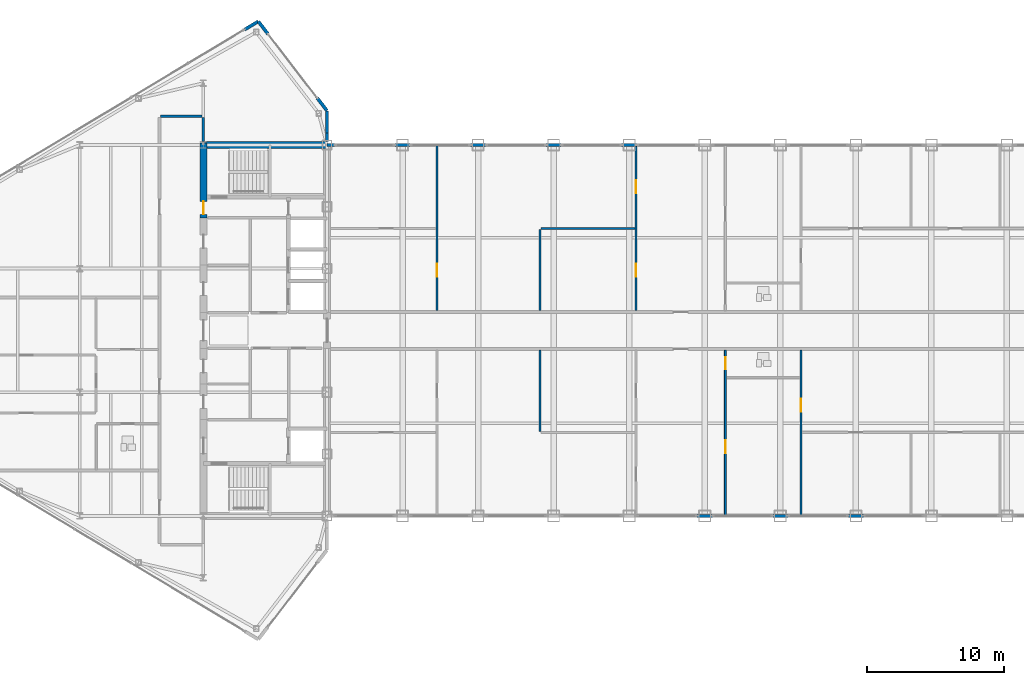
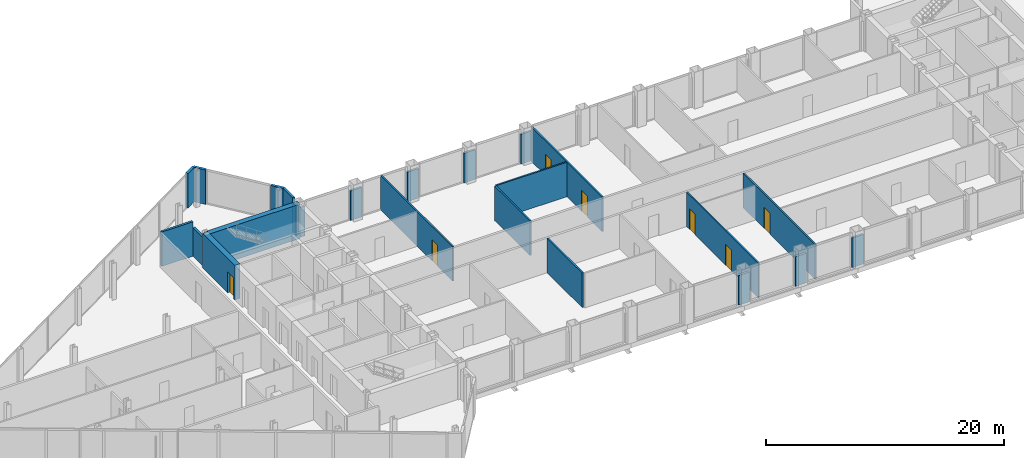
# One storey, part 23 of 29: 24 walls, 7 doors, 7 openings.
"""IFC4 building model written with IfcOpenShell, lengths in metres."""

import ifcopenshell
import ifcopenshell.guid

model = None  # the IFC model being written
_history = None  # IfcOwnerHistory: only IFC2X3 demands one
_inside = {}  # id of a spatial element -> (the spatial element, [elements in it])
_under = {}  # id of a project, library or spatial element -> (it, [spatial elements below it])
_declared = {}  # id of a project -> (the project, [libraries it declares])
_typed = {}  # id of a type object -> (the type object, [elements of that type])
_made_of = {}  # id of a material, layer set ... -> (it, [elements and type objects made of it])


def new_model(schema):
    """Start an empty IFC model of exactly this schema.

    Asked for "IFC4X3", IfcOpenShell would pick the latest addendum, in which some entities
    have other attributes; the version numbers below select the first issue.
    IFC2X3 requires an IfcOwnerHistory on every rooted entity: one is made here for all.
    """
    global model, _history
    if schema == "IFC4X3":
        model = ifcopenshell.file(schema_version=(4, 3, 0, 0))
    else:
        model = ifcopenshell.file(schema=schema)
    _inside.clear()
    _under.clear()
    _declared.clear()
    _typed.clear()
    _made_of.clear()
    _history = None
    if model.schema == "IFC2X3":
        org = make("IfcOrganization", Name="unknown")
        user = make(
            "IfcPersonAndOrganization",
            ThePerson=make("IfcPerson", FamilyName="unknown"),
            TheOrganization=org,
        )
        app = make(
            "IfcApplication",
            ApplicationDeveloper=org,
            Version="unknown",
            ApplicationFullName="unknown",
            ApplicationIdentifier="unknown",
        )
        _history = make(
            "IfcOwnerHistory",
            OwningUser=user,
            OwningApplication=app,
            ChangeAction="ADDED",
            CreationDate=0,
        )
    return model


def make(cls, **values):
    """One entity of the class cls with the attributes given. An attribute that is None is left unset."""
    return model.create_entity(
        cls, **{name: value for name, value in values.items() if value is not None}
    )


def rooted(cls, **values):
    """An entity with a GlobalId (a new one), such as an element, a storey or a relation."""
    return make(cls, GlobalId=ifcopenshell.guid.new(), OwnerHistory=_history, **values)


def si_unit(unit_type, name, prefix=None):
    """IfcSIUnit, for example si_unit("LENGTHUNIT", "METRE", prefix="MILLI")."""
    return make("IfcSIUnit", UnitType=unit_type, Prefix=prefix, Name=name)


def assignment(units):
    """IfcUnitAssignment: the units of a project."""
    return None if units is None else make("IfcUnitAssignment", Units=units)


def point(xyz):
    """IfcCartesianPoint."""
    return None if xyz is None else make("IfcCartesianPoint", Coordinates=xyz)


def direction(xyz):
    """IfcDirection."""
    return None if xyz is None else make("IfcDirection", DirectionRatios=xyz)


def frame(location, z_axis=None, x_axis=None):
    """IfcAxis2Placement3D, a coordinate frame: its origin and axes. An axis left out is left unset."""
    return make(
        "IfcAxis2Placement3D",
        Location=point(location),
        Axis=direction(z_axis),
        RefDirection=direction(x_axis),
    )


def frame_2d(location, x_axis=None):
    """IfcAxis2Placement2D, a coordinate frame in the plane: its origin and x axis."""
    return make(
        "IfcAxis2Placement2D", Location=point(location), RefDirection=direction(x_axis)
    )


def origin():
    """The frame at (0, 0, 0) with its axes left unset."""
    return frame((0.0, 0.0, 0.0))


def place(relative_to, where):
    """IfcLocalPlacement: puts the frame where relative to a parent placement (None: the world)."""
    return make(
        "IfcLocalPlacement", PlacementRelTo=relative_to, RelativePlacement=where
    )


def context(
    kind, dimensions, precision=None, world=None, true_north=None, identifier=None
):
    """IfcGeometricRepresentationContext, for example the 3D "Model" context."""
    return make(
        "IfcGeometricRepresentationContext",
        ContextIdentifier=identifier,
        ContextType=kind,
        CoordinateSpaceDimension=dimensions,
        Precision=precision,
        WorldCoordinateSystem=world,
        TrueNorth=true_north,
    )


def subcontext(parent, identifier, kind, view, scale=None):
    """IfcGeometricRepresentationSubContext, for example "Body" below "Model"."""
    return make(
        "IfcGeometricRepresentationSubContext",
        ContextIdentifier=identifier,
        ContextType=kind,
        ParentContext=parent,
        TargetScale=scale,
        TargetView=view,
    )


def project(units=None, contexts=None):
    """IfcProject with its units and contexts."""
    return rooted(
        "IfcProject",
        Name="project",
        RepresentationContexts=contexts,
        UnitsInContext=assignment(units),
    )


def spatial(cls, under=None, at=None, **own):
    """A site, building, storey or space (cls), placed at a placement, below another one or the project."""
    s = rooted(cls, ObjectPlacement=at, **own)
    if under is not None:
        _under.setdefault(under.id(), (under, []))[1].append(s)
    return s


def profile(cls, at=None, kind="AREA", **sizes):
    """A parametric profile (cls). Its sizes go by their IFC names, for example OverallWidth=200.0."""
    return make(cls, ProfileType=kind, Position=at, **sizes)


def rectangle(**sizes):
    """IfcRectangleProfileDef."""
    return profile("IfcRectangleProfileDef", **sizes)


def extrude(swept, where, along, depth):
    """IfcExtrudedAreaSolid: the profile swept, set in the frame where, extruded along a direction by depth."""
    return make(
        "IfcExtrudedAreaSolid",
        SweptArea=swept,
        Position=where,
        ExtrudedDirection=direction(along),
        Depth=depth,
    )


def shape(context_of_items, identifier, shape_type, items):
    """IfcShapeRepresentation: the items that make up one representation, for example the "Body"."""
    return make(
        "IfcShapeRepresentation",
        ContextOfItems=context_of_items,
        RepresentationIdentifier=identifier,
        RepresentationType=shape_type,
        Items=items,
    )


def source(mapping_origin, context_of_items, identifier, shape_type, items):
    """IfcRepresentationMap: a shape defined once, which mapped items show again and again."""
    return make(
        "IfcRepresentationMap",
        MappingOrigin=mapping_origin,
        MappedRepresentation=shape(context_of_items, identifier, shape_type, items),
    )


def transform(
    local_origin,
    x_axis=None,
    y_axis=None,
    z_axis=None,
    scale=None,
    scale2=None,
    scale3=None,
    uniform=True,
):
    """IfcCartesianTransformationOperator3D, or its non-uniform kind. x_axis, y_axis, z_axis: its Axis1, 2, 3."""
    if uniform:
        return make(
            "IfcCartesianTransformationOperator3D",
            Axis1=direction(x_axis),
            Axis2=direction(y_axis),
            LocalOrigin=point(local_origin),
            Scale=scale,
            Axis3=direction(z_axis),
        )
    return make(
        "IfcCartesianTransformationOperator3DnonUniform",
        Axis1=direction(x_axis),
        Axis2=direction(y_axis),
        LocalOrigin=point(local_origin),
        Scale=scale,
        Axis3=direction(z_axis),
        Scale2=scale2,
        Scale3=scale3,
    )


def mapped(mapping_source, mapping_target):
    """IfcMappedItem: shows the shape of a source again, moved by a transform."""
    return make(
        "IfcMappedItem", MappingSource=mapping_source, MappingTarget=mapping_target
    )


def material(Name=None, Category=None):
    """IfcMaterial."""
    return make("IfcMaterial", Name=Name, Category=Category)


def layer(
    of_material, thickness, ventilated=None, Name=None, Category=None, Priority=None
):
    """IfcMaterialLayer: one layer of a wall or slab, of a material (None: an air gap)."""
    return make(
        "IfcMaterialLayer",
        Material=of_material,
        LayerThickness=thickness,
        IsVentilated=ventilated,
        Name=Name,
        Category=Category,
        Priority=Priority,
    )


def layer_set(layers, Name=None):
    """IfcMaterialLayerSet."""
    return make("IfcMaterialLayerSet", MaterialLayers=layers, LayerSetName=Name)


def made_of(thing, what):
    """Note that an element or type object is made of a material, layer set ...; save() writes the relation."""
    if what is not None:
        _made_of.setdefault(what.id(), (what, []))[1].append(thing)
    return thing


def type_object(cls, material=None, **own):
    """A type object (cls), such as IfcWallType, which elements share."""
    return made_of(rooted(cls, **own), material)


def type_shapes(of_type, sources):
    """Give a type object the sources (RepresentationMaps) that its elements show as mapped items."""
    of_type.RepresentationMaps = sources


def element(
    cls,
    number,
    at=None,
    inside=None,
    cuts=None,
    type_object=None,
    material=None,
    context=None,
    identifier="Body",
    shape_type=None,
    held_by="IfcProductDefinitionShape",
    body=None,
    shapes=None,
    **own,
):
    """One element of the class cls, such as IfcWall. Its Tag is "e" and its number.

    at: its placement. inside: the storey or other place that contains it. cuts: it is an
    opening in that element (IfcRelVoidsElement). A single representation is given by context,
    identifier, shape_type and body (its items); several are given by shapes. held_by: the class
    of the entity that holds the representations. save() writes the other relations.
    """
    e = rooted(cls, Tag="e%d" % number, ObjectPlacement=at, **own)
    if body is not None:
        shapes = [shape(context, identifier, shape_type, body)]
    if shapes is not None:
        e.Representation = make(held_by, Representations=shapes)
    if inside is not None:
        _inside.setdefault(inside.id(), (inside, []))[1].append(e)
    if cuts is not None:
        rooted(
            "IfcRelVoidsElement", RelatingBuildingElement=cuts, RelatedOpeningElement=e
        )
    if type_object is not None:
        _typed.setdefault(type_object.id(), (type_object, []))[1].append(e)
    return made_of(e, material)


def fill(opening, filler):
    """IfcRelFillsElement: the door or window that sits in an opening."""
    return rooted(
        "IfcRelFillsElement",
        RelatingOpeningElement=opening,
        RelatedBuildingElement=filler,
    )


def aggregate(whole, parts):
    """IfcRelAggregates: a whole, such as a stair, and the parts it consists of."""
    return rooted("IfcRelAggregates", RelatingObject=whole, RelatedObjects=parts)


def save(model, path):
    """Write the relations noted so far, then the file.

    IfcRelAggregates (storeys below a building ...), IfcRelContainedInSpatialStructure (elements
    in a storey), IfcRelDefinesByType, IfcRelAssociatesMaterial and IfcRelDeclares: one each for
    every whole, place, type object, material and project.
    """
    for whole, parts in _under.values():
        aggregate(whole, parts)
    for where, things in _inside.values():
        rooted(
            "IfcRelContainedInSpatialStructure",
            RelatedElements=things,
            RelatingStructure=where,
        )
    for kind, things in _typed.values():
        rooted("IfcRelDefinesByType", RelatedObjects=things, RelatingType=kind)
    for what, things in _made_of.values():
        rooted("IfcRelAssociatesMaterial", RelatedObjects=things, RelatingMaterial=what)
    for by, libraries in _declared.values():
        rooted("IfcRelDeclares", RelatingContext=by, RelatedDefinitions=libraries)
    model.write(path)


model = new_model("IFC4")

# Units and contexts
model_context = context("Model", 3, precision=1e-05, world=origin(), true_north=direction((0.0, 1.0)))
body_context = subcontext(model_context, "Body", "Model", "MODEL_VIEW")
ifc_project = project(units=[si_unit("LENGTHUNIT", "METRE"), si_unit("AREAUNIT", "SQUARE_METRE"), si_unit("VOLUMEUNIT", "CUBIC_METRE"), si_unit("PLANEANGLEUNIT", "RADIAN"), si_unit("MASSUNIT", "GRAM", prefix="KILO")], contexts=[model_context])

# Site, building, storey
site_placement = place(None, origin())
site = spatial("IfcSite", under=ifc_project, at=site_placement, CompositionType="ELEMENT")
building_placement = place(site_placement, origin())
building = spatial("IfcBuilding", under=site, at=building_placement, Name="Seokmaru Belvedere", CompositionType="ELEMENT")
storey_placement = place(building_placement, frame((0.0, 0.0, 254.39990234375)))
storey = spatial("IfcBuildingStorey", under=building, at=storey_placement, Name="L67", CompositionType="ELEMENT", Elevation=254.39990234375)

# Wall
ifc_material_1 = material(Name="Fire-Rated Gypsum Shaftwall")
ifc_layer_1 = layer(ifc_material_1, 0.14990234375)
ifc_layer_set_1 = layer_set([ifc_layer_1], Name="Fire-Rated Gypsum Shaftwall")
wall_type_1 = type_object("IfcWallType", Name="Apartment Fire-Acoustic Room Partition 150", PredefinedType="PARTITIONING", material=ifc_layer_set_1)
wall_1_placement = place(storey_placement, frame((-11.9150390625, 7.419921875, 0.0), z_axis=(0.0, 0.0, 1.0), x_axis=(1.0, 0.0, 0.0)))
element("IfcWall", 1, at=wall_1_placement, inside=storey, type_object=wall_type_1, Name="L67 Interior Partition 023", PredefinedType="PARTITIONING", context=body_context, shape_type="SweptSolid", body=[
    extrude(rectangle(XDim=6.830078125, YDim=0.14990234375, at=frame_2d((3.4150390625, 0.0))), origin(), (0.0, 0.0, 1.0), 3.530029296875),
])

# Wall, opening, door
wall_2_placement = place(storey_placement, frame((-19.5, 1.43505859375, 0.0), z_axis=(0.0, 0.0, 1.0), x_axis=(0.0, 1.0, 0.0)))
wall_2 = element("IfcWall", 2, at=wall_2_placement, inside=storey, type_object=wall_type_1, Name="L67 Interior Partition 035", PredefinedType="PARTITIONING", context=body_context, shape_type="SweptSolid", body=[
    extrude(rectangle(XDim=12.06494140625, YDim=0.14990234375, at=frame_2d((6.032470703125, 0.0))), origin(), (0.0, 0.0, 1.0), 3.530029296875),
])
opening_1_placement = place(wall_2_placement, frame((2.4775390625, 0.0, 0.0)))
opening_1 = element("IfcOpeningElement", 3, at=opening_1_placement, cuts=wall_2, Name="Opening D05", PredefinedType="OPENING", context=body_context, shape_type="SweptSolid", body=[
    extrude(rectangle(XDim=0.949951171875, YDim=2.14990234375, at=frame_2d((0.47509765625, 1.074951171875))), frame((0.0, 0.0849609375, 0.0), z_axis=(0.0, -1.0, 0.0), x_axis=(1.0, 0.0, 0.0)), (0.0, 0.0, 1.0), 0.169921875),
])
ifc_material_2 = material(Name="Engineered White Oak Timber", Category="wood")
door_type_1 = type_object("IfcDoorType", Name="Apartment Interior Fire-Rated Oak Door 950x2150", OperationType="NOTDEFINED", PredefinedType="DOOR", material=ifc_material_2)
shared_shape_1 = source(origin(), body_context, "Body", "SweptSolid", [
    extrude(rectangle(XDim=0.949951171875, YDim=2.14990234375, at=frame_2d((0.47509765625, 1.074951171875))), frame((0.0, 0.02490234375, 0.0), z_axis=(0.0, -1.0, 0.0), x_axis=(1.0, 0.0, 0.0)), (0.0, 0.0, 1.0), 0.050048828125),
])
type_shapes(door_type_1, [shared_shape_1])
door_1_placement = place(opening_1_placement, origin())
door_1 = element("IfcDoor", 4, at=door_1_placement, inside=storey, type_object=door_type_1, Name="L67 Interior Door 042", OperationType="SINGLE_SWING_LEFT", OverallHeight=2.14990234375, OverallWidth=0.949951171875, PredefinedType="DOOR", context=body_context, shape_type="MappedRepresentation", body=[
    mapped(shared_shape_1, transform((0.0, 0.0, 0.0), scale=1.0)),
])
fill(opening_1, door_1)

# Walls
for number, where, z_axis, x_axis, name in (
    (5, (-12.0, -7.340087890625, 0.0), (0.0, 0.0, 1.0), (0.0, 1.0, 0.0), "L67 Interior Partition 036"),
    (6, (-12.0, 1.43505859375, 0.0), (0.0, 0.0, 1.0), (0.0, 1.0, 0.0), "L67 Interior Partition 037"),
):
    element("IfcWall", number, at=place(storey_placement, frame(where, z_axis=z_axis, x_axis=x_axis)), inside=storey, type_object=wall_type_1, Name=name, PredefinedType="PARTITIONING", context=body_context, shape_type="SweptSolid", body=[
        extrude(rectangle(XDim=5.905029296875, YDim=0.14990234375, at=frame_2d((2.95263671875, 0.0))), origin(), (0.0, 0.0, 1.0), 3.530029296875),
    ])

# Wall, openings, doors
wall_3_placement = place(storey_placement, frame((-5.0, 1.43505859375, 0.0), z_axis=(0.0, 0.0, 1.0), x_axis=(0.0, 1.0, 0.0)))
wall_3 = element("IfcWall", 7, at=wall_3_placement, inside=storey, type_object=wall_type_1, Name="L67 Interior Partition 039", PredefinedType="PARTITIONING", context=body_context, shape_type="SweptSolid", body=[
    extrude(rectangle(XDim=11.954833984375, YDim=0.14990234375, at=frame_2d((5.9775390625, 0.0))), origin(), (0.0, 0.0, 1.0), 3.530029296875),
])
opening_2_placement = place(wall_3_placement, frame((2.4775390625, 0.0, 0.0)))
opening_2 = element("IfcOpeningElement", 8, at=opening_2_placement, cuts=wall_3, Name="Opening D05", PredefinedType="OPENING", context=body_context, shape_type="SweptSolid", body=[
    extrude(rectangle(XDim=0.949951171875, YDim=2.14990234375, at=frame_2d((0.47509765625, 1.074951171875))), frame((0.0, 0.0849609375, 0.0), z_axis=(0.0, -1.0, 0.0), x_axis=(1.0, 0.0, 0.0)), (0.0, 0.0, 1.0), 0.169921875),
])
opening_3_placement = place(wall_3_placement, frame((8.552490234375, 0.0, 0.0)))
opening_3 = element("IfcOpeningElement", 9, at=opening_3_placement, cuts=wall_3, Name="Opening D05", PredefinedType="OPENING", context=body_context, shape_type="SweptSolid", body=[
    extrude(rectangle(XDim=0.949951171875, YDim=2.14990234375, at=frame_2d((0.47509765625, 1.074951171875))), frame((0.0, 0.0849609375, 0.0), z_axis=(0.0, -1.0, 0.0), x_axis=(1.0, 0.0, 0.0)), (0.0, 0.0, 1.0), 0.169921875),
])
door_2_placement = place(opening_2_placement, origin())
door_2 = element("IfcDoor", 10, at=door_2_placement, inside=storey, type_object=door_type_1, Name="L67 Interior Door 040", OperationType="SINGLE_SWING_LEFT", OverallHeight=2.14990234375, OverallWidth=0.949951171875, PredefinedType="DOOR", context=body_context, shape_type="MappedRepresentation", body=[
    mapped(shared_shape_1, transform((0.0, 0.0, 0.0), scale=1.0)),
])
fill(opening_2, door_2)
door_3_placement = place(opening_3_placement, origin())
door_3 = element("IfcDoor", 11, at=door_3_placement, inside=storey, type_object=door_type_1, Name="L67 Interior Door 041", OperationType="SINGLE_SWING_RIGHT", OverallHeight=2.14990234375, OverallWidth=0.949951171875, PredefinedType="DOOR", context=body_context, shape_type="MappedRepresentation", body=[
    mapped(shared_shape_1, transform((0.0, 0.0, 0.0), scale=1.0)),
])
fill(opening_3, door_3)

# Wall, opening, door
wall_4_placement = place(storey_placement, frame((7.0, -13.5, 0.0), z_axis=(0.0, 0.0, 1.0), x_axis=(0.0, 1.0, 0.0)))
wall_4 = element("IfcWall", 12, at=wall_4_placement, inside=storey, type_object=wall_type_1, Name="L67 Interior Partition 042", PredefinedType="PARTITIONING", context=body_context, shape_type="SweptSolid", body=[
    extrude(rectangle(XDim=12.06494140625, YDim=0.14990234375, at=frame_2d((6.032470703125, 0.0))), origin(), (0.0, 0.0, 1.0), 3.530029296875),
])
opening_4_placement = place(wall_4_placement, frame((7.58740234375, 0.0, 0.0)))
opening_4 = element("IfcOpeningElement", 13, at=opening_4_placement, cuts=wall_4, Name="Opening D05", PredefinedType="OPENING", context=body_context, shape_type="SweptSolid", body=[
    extrude(rectangle(XDim=0.949951171875, YDim=2.14990234375, at=frame_2d((0.47509765625, 1.074951171875))), frame((0.0, 0.0849609375, 0.0), z_axis=(0.0, -1.0, 0.0), x_axis=(1.0, 0.0, 0.0)), (0.0, 0.0, 1.0), 0.169921875),
])
door_4_placement = place(opening_4_placement, origin())
door_4 = element("IfcDoor", 14, at=door_4_placement, inside=storey, type_object=door_type_1, Name="L67 Interior Door 033", OperationType="SINGLE_SWING_LEFT", OverallHeight=2.14990234375, OverallWidth=0.949951171875, PredefinedType="DOOR", context=body_context, shape_type="MappedRepresentation", body=[
    mapped(shared_shape_1, transform((0.0, 0.0, 0.0), scale=1.0)),
])
fill(opening_4, door_4)

# Walls
ifc_material_3 = material(Name="Anodised Bronze Aluminium", Category="aluminium")
ifc_layer_2 = layer(ifc_material_3, 0.2099609375)
ifc_layer_set_2 = layer_set([ifc_layer_2], Name="Anodised Bronze Aluminium")
wall_type_2 = type_object("IfcWallType", Name="Bridge Column Spandrel Closure Pier 210", PredefinedType="SOLIDWALL", material=ifc_layer_set_2)
wall_5_placement = place(storey_placement, frame((-27.489990234375, 13.5, 0.0), z_axis=(0.0, 0.0, 1.0), x_axis=(1.0, 0.0, 0.0)))
element("IfcWall", 15, at=wall_5_placement, inside=storey, type_object=wall_type_2, Name="L67 Bridge North Column Closure Pier 01", PredefinedType="SOLIDWALL", context=body_context, shape_type="SweptSolid", body=[
    extrude(rectangle(XDim=0.5400390625, YDim=0.2099609375, at=frame_2d((0.27001953125, 0.0))), origin(), (0.0, 0.0, 1.0), 3.030029296875),
])
for number, where, z_axis, x_axis, name in (
    (16, (-22.550048828125, 13.5, 0.0), (0.0, 0.0, 1.0), (1.0, 0.0, 0.0), "L67 Bridge North Column Closure Pier 02"),
    (17, (-17.050048828125, 13.5, 0.0), (0.0, 0.0, 1.0), (1.0, 0.0, 0.0), "L67 Bridge North Column Closure Pier 03"),
    (18, (-11.550048828125, 13.5, 0.0), (0.0, 0.0, 1.0), (1.0, 0.0, 0.0), "L67 Bridge North Column Closure Pier 04"),
    (19, (-6.050048828125, 13.5, 0.0), (0.0, 0.0, 1.0), (1.0, 0.0, 0.0), "L67 Bridge North Column Closure Pier 05"),
    (20, (-0.550048828125, -13.5, 0.0), (0.0, 0.0, 1.0), (1.0, 0.0, 0.0), "L67 Bridge South Column Closure Pier 06"),
    (21, (4.949951171875, -13.5, 0.0), (0.0, 0.0, 1.0), (1.0, 0.0, 0.0), "L67 Bridge South Column Closure Pier 07"),
    (22, (10.449951171875, -13.5, 0.0), (0.0, 0.0, 1.0), (1.0, 0.0, 0.0), "L67 Bridge South Column Closure Pier 08"),
):
    element("IfcWall", number, at=place(storey_placement, frame(where, z_axis=z_axis, x_axis=x_axis)), inside=storey, type_object=wall_type_2, Name=name, PredefinedType="SOLIDWALL", context=body_context, shape_type="SweptSolid", body=[
        extrude(rectangle(XDim=1.10009765625, YDim=0.2099609375, at=frame_2d((0.550048828125, 0.0))), origin(), (0.0, 0.0, 1.0), 3.030029296875),
    ])
ifc_layer_3 = layer(ifc_material_1, 0.199951171875)
ifc_layer_set_3 = layer_set([ifc_layer_3], Name="Fire-Rated Gypsum Shaftwall")
wall_type_3 = type_object("IfcWallType", Name="Inter-Tenancy Fire Compartment Partition 200", PredefinedType="PARTITIONING", material=ifc_layer_set_3)
wall_6_placement = place(storey_placement, frame((-39.614990234375, 15.60009765625, 0.0), z_axis=(0.0, 0.0, 1.0), x_axis=(1.0, 0.0, 0.0)))
element("IfcWall", 23, at=wall_6_placement, inside=storey, type_object=wall_type_3, Name="L67 Interior Partition 025", PredefinedType="PARTITIONING", context=body_context, shape_type="SweptSolid", body=[
    extrude(rectangle(XDim=3.030029296875, YDim=0.199951171875, at=frame_2d((1.51513671875, 0.0))), origin(), (0.0, 0.0, 1.0), 3.530029296875),
])
wall_7_placement = place(storey_placement, frame((-36.5, 13.7548828125, 0.0), z_axis=(0.0, 0.0, 1.0), x_axis=(0.0, 1.0, 0.0)))
element("IfcWall", 24, at=wall_7_placement, inside=storey, type_object=wall_type_3, Name="L67 Interior Partition 033", PredefinedType="PARTITIONING", context=body_context, shape_type="SweptSolid", body=[
    extrude(rectangle(XDim=1.760009765625, YDim=0.199951171875, at=frame_2d((0.8798828125, 0.0))), origin(), (0.0, 0.0, 1.0), 2.93017578125),
])

# Wall, openings, doors
ifc_layer_4 = layer(ifc_material_1, 0.1298828125)
ifc_layer_set_4 = layer_set([ifc_layer_4], Name="Fire-Rated Gypsum Shaftwall")
wall_type_4 = type_object("IfcWallType", Name="Moisture-Resistant Fire-Rated Bathroom Partition 130", PredefinedType="PARTITIONING", material=ifc_layer_set_4)
wall_8_placement = place(storey_placement, frame((1.5, -13.5, 0.0), z_axis=(0.0, 0.0, 1.0), x_axis=(0.0, 1.0, 0.0)))
wall_8 = element("IfcWall", 25, at=wall_8_placement, inside=storey, type_object=wall_type_4, Name="L67 Interior Partition 040", PredefinedType="PARTITIONING", context=body_context, shape_type="SweptSolid", body=[
    extrude(rectangle(XDim=12.06494140625, YDim=0.1298828125, at=frame_2d((6.032470703125, 0.0))), origin(), (0.0, 0.0, 1.0), 3.530029296875),
])
opening_5_placement = place(wall_8_placement, frame((10.659912109375, 0.0, 0.0)))
opening_5 = element("IfcOpeningElement", 26, at=opening_5_placement, cuts=wall_8, Name="Opening D06", PredefinedType="OPENING", context=body_context, shape_type="SweptSolid", body=[
    extrude(rectangle(XDim=0.8798828125, YDim=2.10009765625, at=frame_2d((0.43994140625, 1.050048828125))), frame((0.0, 0.074951171875, 0.0), z_axis=(0.0, -1.0, 0.0), x_axis=(1.0, 0.0, 0.0)), (0.0, 0.0, 1.0), 0.14990234375),
])
opening_6_placement = place(wall_8_placement, frame((4.550048828125, 0.0, 0.0)))
opening_6 = element("IfcOpeningElement", 27, at=opening_6_placement, cuts=wall_8, Name="Opening D05", PredefinedType="OPENING", context=body_context, shape_type="SweptSolid", body=[
    extrude(rectangle(XDim=0.949951171875, YDim=2.14990234375, at=frame_2d((0.47509765625, 1.074951171875))), frame((0.0, 0.074951171875, 0.0), z_axis=(0.0, -1.0, 0.0), x_axis=(1.0, 0.0, 0.0)), (0.0, 0.0, 1.0), 0.14990234375),
])
door_type_2 = type_object("IfcDoorType", Name="Bathroom and Restroom Fire-Rated Door 880x2100", OperationType="NOTDEFINED", PredefinedType="DOOR", material=ifc_material_2)
shared_shape_2 = source(origin(), body_context, "Body", "SweptSolid", [
    extrude(rectangle(XDim=0.8798828125, YDim=2.10009765625, at=frame_2d((0.43994140625, 1.050048828125))), frame((0.0, 0.02490234375, 0.0), z_axis=(0.0, -1.0, 0.0), x_axis=(1.0, 0.0, 0.0)), (0.0, 0.0, 1.0), 0.050048828125),
])
type_shapes(door_type_2, [shared_shape_2])
door_5_placement = place(opening_5_placement, origin())
door_5 = element("IfcDoor", 28, at=door_5_placement, inside=storey, type_object=door_type_2, Name="L67 Interior Door 027", OperationType="SINGLE_SWING_LEFT", OverallHeight=2.10009765625, OverallWidth=0.8798828125, PredefinedType="DOOR", context=body_context, shape_type="MappedRepresentation", body=[
    mapped(shared_shape_2, transform((0.0, 0.0, 0.0), scale=1.0)),
])
fill(opening_5, door_5)
door_6_placement = place(opening_6_placement, origin())
door_6 = element("IfcDoor", 29, at=door_6_placement, inside=storey, type_object=door_type_1, Name="L67 Interior Door 028", OperationType="SINGLE_SWING_RIGHT", OverallHeight=2.14990234375, OverallWidth=0.949951171875, PredefinedType="DOOR", context=body_context, shape_type="MappedRepresentation", body=[
    mapped(shared_shape_1, transform((0.0, 0.0, 0.0), scale=1.0)),
])
fill(opening_6, door_6)

# Walls
ifc_layer_5 = layer(ifc_material_3, 0.239990234375)
ifc_layer_set_5 = layer_set([ifc_layer_5], Name="Anodised Bronze Aluminium")
wall_type_5 = type_object("IfcWallType", Name="Tower Corner Spandrel Closure Wall 240", PredefinedType="SOLIDWALL", material=ifc_layer_set_5)
wall_9_placement = place(storey_placement, frame((-27.5, 13.7548828125, 0.0), z_axis=(0.0, 0.0, 1.0), x_axis=(0.0, 1.0, 0.0)))
element("IfcWall", 30, at=wall_9_placement, inside=storey, type_object=wall_type_5, Name="L67 W Shoulder Closure Wall 2", PredefinedType="SOLIDWALL", context=body_context, shape_type="SweptSolid", body=[
    extrude(rectangle(XDim=0.619873046875, YDim=0.239990234375, at=frame_2d((0.31005859375, 0.0))), origin(), (0.0, 0.0, 1.0), 3.030029296875),
])
wall_10_placement = place(storey_placement, frame((-27.5, 14.374755859375, 0.0), z_axis=(0.0, 0.0, 1.0), x_axis=(0.0, 1.0, 0.0)))
element("IfcWall", 31, at=wall_10_placement, inside=storey, type_object=wall_type_5, Name="L67 W Shoulder Closure Wall 2 Part 2", PredefinedType="SOLIDWALL", context=body_context, shape_type="SweptSolid", body=[
    extrude(rectangle(XDim=1.605224609375, YDim=0.239990234375, at=frame_2d((0.802734375, 0.0))), origin(), (0.0, 0.0, 1.0), 3.530029296875),
])
for number, where, z_axis, x_axis, name in (
    (32, (-27.506103515625, 16.0078125, 0.0), (0.0, 0.0, 1.0), (-0.609617623633, 0.792695624408, 0.0), "L67 W Corner Closure Pier 2A"),
    (33, (-31.798828125, 21.58837890625, 0.0), (0.0, 0.0, 1.0), (-0.609617623633, 0.792695624408, 0.0), "L67 W Corner Closure Pier 2B"),
    (34, (-32.508544921875, 22.494873046875, 0.0), (0.0, 0.0, 1.0), (-0.85743623509, -0.514590228002, 0.0), "L67 W Corner Closure Pier 3A"),
):
    element("IfcWall", number, at=place(storey_placement, frame(where, z_axis=z_axis, x_axis=x_axis)), inside=storey, type_object=wall_type_5, Name=name, PredefinedType="SOLIDWALL", context=body_context, shape_type="SweptSolid", body=[
        extrude(rectangle(XDim=1.14013671875, YDim=0.239990234375, at=frame_2d((0.570068359375, 0.0))), origin(), (0.0, 0.0, 1.0), 3.530029296875),
    ])
ifc_material_4 = material(Name="Concrete C50 (50 MPa)", Category="concrete")
ifc_layer_6 = layer(ifc_material_4, 0.5)
ifc_layer_set_6 = layer_set([ifc_layer_6], Name="Concrete C50 (50 MPa)")
wall_type_6 = type_object("IfcWallType", Name="Upper Tower Reinforced Concrete Core Wall 500", PredefinedType="SHEAR", material=ifc_layer_set_6)
wall_11_placement = place(storey_placement, frame((-36.5, 13.5, 0.0), z_axis=(0.0, 0.0, 1.0), x_axis=(1.0, 0.0, 0.0)))
element("IfcWall", 35, at=wall_11_placement, inside=storey, type_object=wall_type_6, Name="L67 West North Core Wall", PredefinedType="SHEAR", context=body_context, shape_type="SweptSolid", body=[
    extrude(rectangle(XDim=9.0, YDim=0.5, at=frame_2d((4.5, 0.0))), origin(), (0.0, 0.0, 1.0), 3.530029296875),
])

# Wall, opening, door
wall_12_placement = place(storey_placement, frame((-36.5, 8.199951171875, 0.0), z_axis=(0.0, 0.0, 1.0), x_axis=(0.0, 1.0, 0.0)))
wall_12 = element("IfcWall", 36, at=wall_12_placement, inside=storey, type_object=wall_type_6, Name="L67 West West Core Wall VST", PredefinedType="SHEAR", context=body_context, shape_type="SweptSolid", body=[
    extrude(rectangle(XDim=5.449951171875, YDim=0.5, at=frame_2d((2.72509765625, 0.0))), origin(), (0.0, 0.0, 1.0), 3.530029296875),
])
opening_7_placement = place(wall_12_placement, frame((0.2451171875, 0.0, 0.0)))
opening_7 = element("IfcOpeningElement", 37, at=opening_7_placement, cuts=wall_12, Name="Opening D04", PredefinedType="OPENING", context=body_context, shape_type="SweptSolid", body=[
    extrude(rectangle(XDim=0.949951171875, YDim=2.14990234375, at=frame_2d((0.47509765625, 1.074951171875))), frame((0.0, 0.260009765625, 0.0), z_axis=(0.0, -1.0, 0.0), x_axis=(1.0, 0.0, 0.0)), (0.0, 0.0, 1.0), 0.52001953125),
])
ifc_material_5 = material(Name="Fire-Rated Steel Leaf", Category="steel")
door_type_3 = type_object("IfcDoorType", Name="Core Service Room Fire Door 950x2150", OperationType="NOTDEFINED", PredefinedType="DOOR", material=ifc_material_5)
shared_shape_3 = source(origin(), body_context, "Body", "SweptSolid", [
    extrude(rectangle(XDim=0.949951171875, YDim=2.14990234375, at=frame_2d((0.47509765625, 1.074951171875))), frame((0.0, 0.02490234375, 0.0), z_axis=(0.0, -1.0, 0.0), x_axis=(1.0, 0.0, 0.0)), (0.0, 0.0, 1.0), 0.050048828125),
])
type_shapes(door_type_3, [shared_shape_3])
door_7_placement = place(opening_7_placement, frame((0.949951171875, 0.0, 0.0), z_axis=(0.0, 0.0, 1.0), x_axis=(-1.0, 0.0, 0.0)))
door_7 = element("IfcDoor", 38, at=door_7_placement, inside=storey, type_object=door_type_3, Name="L67 West Smokeproof Vestibule Door", OperationType="SINGLE_SWING_RIGHT", OverallHeight=2.14990234375, OverallWidth=0.949951171875, PredefinedType="DOOR", context=body_context, shape_type="MappedRepresentation", body=[
    mapped(shared_shape_3, transform((0.0, 0.0, 0.0), scale=1.0)),
])
fill(opening_7, door_7)

save(model, "model.ifc")
